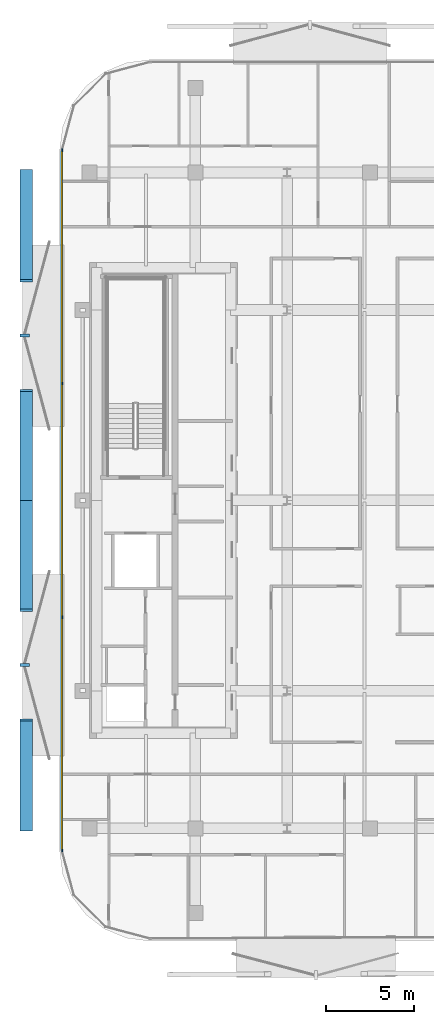
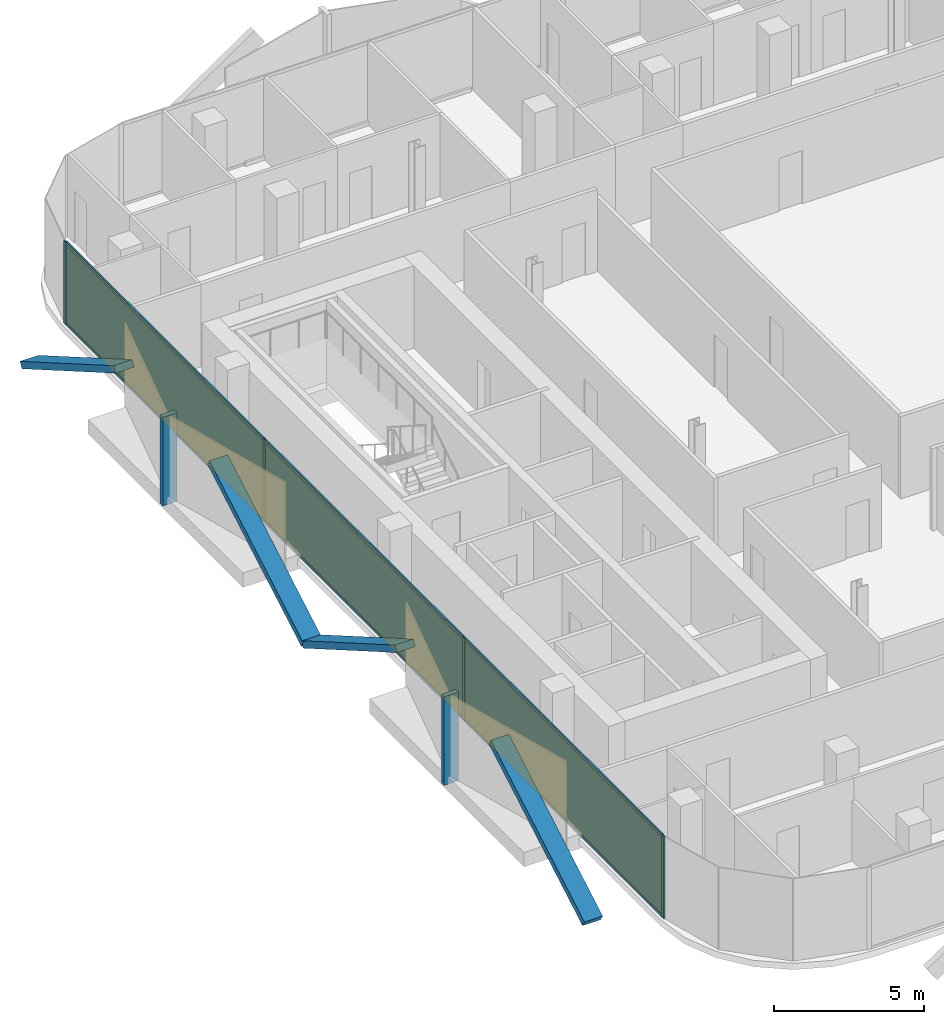
# One storey, part 9 of 14: 16 members, 3 plates, 1 curtain wall.
"""IFC4 building model written with IfcOpenShell, lengths in metres."""

from ifc_helpers import new_model, si_unit, direction, frame, frame_2d, origin, origin_2d, place, context, subcontext, project, spatial, rectangle, extrude, material, layer, layer_set, material_profile, profile_set, type_object, element, aggregate, save


model = new_model("IFC4")

# Units and contexts
model_context = context("Model", 3, precision=1e-05, world=origin(), true_north=direction((0.0, 1.0)))
body_context = subcontext(model_context, "Body", "Model", "MODEL_VIEW")
ifc_project = project(units=[si_unit("LENGTHUNIT", "METRE"), si_unit("AREAUNIT", "SQUARE_METRE"), si_unit("VOLUMEUNIT", "CUBIC_METRE"), si_unit("PLANEANGLEUNIT", "RADIAN"), si_unit("MASSUNIT", "GRAM", prefix="KILO")], contexts=[model_context])

# Member
ifc_material_1 = material(Name="Anodised Bronze Aluminium 6063-T6", Category="aluminium")
ifc_material_profile_1 = material_profile(ifc_material_1, rectangle(XDim=0.260009765625, YDim=0.699951171875, at=origin_2d()))
ifc_profile_set_1 = profile_set([ifc_material_profile_1], Name="Anodised Bronze Aluminium 6063-T6")
member_type_1 = type_object("IfcMemberType", Name="Bronze Diamond Solar-Screen Lattice Rib BDL-700", PredefinedType="MULLION", material=ifc_profile_set_1)
site_placement = place(None, origin())
building_placement = place(site_placement, origin())
storey_placement = place(building_placement, frame((0.0, 0.0, 233.199951171875)))
member_1_placement = place(storey_placement, frame((-24.0, -18.69091796875, -0.1298828125), z_axis=(0.0, 0.865863440235, 0.500280424227), x_axis=(0.0, -0.500280424227, 0.865863440235)))
member_1 = element("IfcMember", 1, at=member_1_placement, type_object=member_type_1, Name="L54 Bronze Diamond Solar Screen Lattice Rib 363A", PredefinedType="MULLION", context=body_context, shape_type="SweptSolid", body=[
    extrude(rectangle(XDim=0.260009765625, YDim=0.699951171875, at=origin_2d()), origin(), (0.0, 0.0, 1.0), 7.195556640625),
])

member_2_placement = place(storey_placement, frame((-24.0, 0.0, -0.1298828125), z_axis=(0.0, -0.865854948139, 0.500295121686), x_axis=(0.0, 0.500295121686, 0.865854948139)))
member_2 = element("IfcMember", 2, at=member_2_placement, type_object=member_type_1, Name="L54 Bronze Diamond Solar Screen Lattice Rib 363B", PredefinedType="MULLION", context=body_context, shape_type="SweptSolid", body=[
    extrude(rectangle(XDim=0.260009765625, YDim=0.699951171875, at=origin_2d()), origin(), (0.0, 0.0, 1.0), 7.195556640625),
])

member_3_placement = place(storey_placement, frame((-24.0, 0.0, -0.1298828125), z_axis=(0.0, 0.865854948139, 0.500295121686), x_axis=(0.0, -0.500295121686, 0.865854948139)))
member_3 = element("IfcMember", 3, at=member_3_placement, type_object=member_type_1, Name="L54 Bronze Diamond Solar Screen Lattice Rib 364A", PredefinedType="MULLION", context=body_context, shape_type="SweptSolid", body=[
    extrude(rectangle(XDim=0.260009765625, YDim=0.699951171875, at=origin_2d()), origin(), (0.0, 0.0, 1.0), 7.195556640625),
])

member_4_placement = place(storey_placement, frame((-24.0, 18.69091796875, -0.1298828125), z_axis=(0.0, -0.865863440235, 0.500280424227), x_axis=(0.0, 0.500280424227, 0.865863440235)))
member_4 = element("IfcMember", 4, at=member_4_placement, type_object=member_type_1, Name="L54 Bronze Diamond Solar Screen Lattice Rib 364B", PredefinedType="MULLION", context=body_context, shape_type="SweptSolid", body=[
    extrude(rectangle(XDim=0.260009765625, YDim=0.699951171875, at=origin_2d()), origin(), (0.0, 0.0, 1.0), 7.195556640625),
])

ifc_material_2 = material(Name="Anodised Bronze Aluminium 6063-T6", Category="aluminium")
ifc_material_profile_2 = material_profile(ifc_material_2, rectangle(XDim=0.179931640625, YDim=0.5400390625, at=origin_2d()))
ifc_profile_set_2 = profile_set([ifc_material_profile_2], Name="Anodised Bronze Aluminium 6063-T6")
member_type_2 = type_object("IfcMemberType", Name="Bronze Solar-Screen Vertical Fold Fin BSF-540", PredefinedType="MULLION", material=ifc_profile_set_2)
member_5_placement = place(storey_placement, frame((-24.080078125, -9.345458984375, -0.1298828125), z_axis=(0.0, 0.0, 1.0), x_axis=(0.0, 1.0, 0.0)))
member_5 = element("IfcMember", 5, at=member_5_placement, type_object=member_type_2, Name="L54 Bronze Solar Screen Vertical Fin 363", PredefinedType="MULLION", context=body_context, shape_type="SweptSolid", body=[
    extrude(rectangle(XDim=0.179931640625, YDim=0.5400390625, at=origin_2d()), origin(), (0.0, 0.0, 1.0), 3.599853515625),
])

member_6_placement = place(storey_placement, frame((-24.080078125, 9.345458984375, -0.1298828125), z_axis=(0.0, 0.0, 1.0), x_axis=(0.0, 1.0, 0.0)))
member_6 = element("IfcMember", 6, at=member_6_placement, type_object=member_type_2, Name="L54 Bronze Solar Screen Vertical Fin 364", PredefinedType="MULLION", context=body_context, shape_type="SweptSolid", body=[
    extrude(rectangle(XDim=0.179931640625, YDim=0.5400390625, at=origin_2d()), origin(), (0.0, 0.0, 1.0), 3.599853515625),
])

ifc_material_3 = material(Name="Anodised Bronze Aluminium 6063-T6", Category="aluminium")
ifc_material_profile_3 = material_profile(ifc_material_3, rectangle(XDim=0.06005859375, YDim=0.159912109375, at=origin_2d()))
ifc_profile_set_3 = profile_set([ifc_material_profile_3], Name="Anodised Bronze Aluminium 6063-T6")
member_type_3 = type_object("IfcMemberType", Name="CW-Z4 Mullion 60x160", PredefinedType="MULLION", material=ifc_profile_set_3)
member_7_placement = place(storey_placement, frame((-21.9599609375, -19.86083984375, 0.0), z_axis=(0.0, 0.0, 1.0), x_axis=(-1.0, 0.0, 0.0)))
member_7 = element("IfcMember", 7, at=member_7_placement, type_object=member_type_3, Name="CW-Z4 mullion 1", PredefinedType="MULLION", context=body_context, shape_type="SweptSolid", body=[
    extrude(rectangle(XDim=0.06005859375, YDim=0.159912109375, at=origin_2d()), origin(), (0.0, 0.0, 1.0), 3.340087890625),
])

member_8_placement = place(storey_placement, frame((-21.9599609375, -6.63037109375, 0.0), z_axis=(0.0, 0.0, 1.0), x_axis=(-1.0, 0.0, 0.0)))
member_8 = element("IfcMember", 8, at=member_8_placement, type_object=member_type_3, Name="CW-Z4 mullion 2", PredefinedType="MULLION", context=body_context, shape_type="SweptSolid", body=[
    extrude(rectangle(XDim=0.06005859375, YDim=0.159912109375, at=origin_2d()), origin(), (0.0, 0.0, 1.0), 3.340087890625),
])

member_9_placement = place(storey_placement, frame((-21.9599609375, 6.63037109375, 0.0), z_axis=(0.0, 0.0, 1.0), x_axis=(-1.0, 0.0, 0.0)))
member_9 = element("IfcMember", 9, at=member_9_placement, type_object=member_type_3, Name="CW-Z4 mullion 3", PredefinedType="MULLION", context=body_context, shape_type="SweptSolid", body=[
    extrude(rectangle(XDim=0.06005859375, YDim=0.159912109375, at=origin_2d()), origin(), (0.0, 0.0, 1.0), 3.340087890625),
])

member_10_placement = place(storey_placement, frame((-21.9599609375, 19.86083984375, 0.0), z_axis=(0.0, 0.0, 1.0), x_axis=(-1.0, 0.0, 0.0)))
member_10 = element("IfcMember", 10, at=member_10_placement, type_object=member_type_3, Name="CW-Z4 mullion 4", PredefinedType="MULLION", context=body_context, shape_type="SweptSolid", body=[
    extrude(rectangle(XDim=0.06005859375, YDim=0.159912109375, at=origin_2d()), origin(), (0.0, 0.0, 1.0), 3.340087890625),
])

ifc_material_4 = material(Name="Anodised Bronze Aluminium 6063-T6", Category="aluminium")
ifc_material_profile_4 = material_profile(ifc_material_4, rectangle(XDim=0.06005859375, YDim=0.125, at=origin_2d()))
ifc_profile_set_4 = profile_set([ifc_material_profile_4], Name="Anodised Bronze Aluminium 6063-T6")
member_type_4 = type_object("IfcMemberType", Name="CW-Z4 Transom 60x125", PredefinedType="USERDEFINED", material=ifc_profile_set_4)
member_11_placement = place(storey_placement, frame((-21.9599609375, -19.830810546875, 0.030029296875), z_axis=(0.0, 1.0, 0.0), x_axis=(-1.0, 0.0, 0.0)))
member_11 = element("IfcMember", 11, at=member_11_placement, type_object=member_type_4, Name="CW-Z4 transom 1.1", ObjectType="TRANSOM", PredefinedType="USERDEFINED", context=body_context, shape_type="SweptSolid", body=[
    extrude(rectangle(XDim=0.06005859375, YDim=0.125, at=origin_2d()), origin(), (0.0, 0.0, 1.0), 13.170654296875),
])

member_12_placement = place(storey_placement, frame((-21.9599609375, -19.830810546875, 3.31005859375), z_axis=(0.0, 1.0, 0.0), x_axis=(-1.0, 0.0, 0.0)))
member_12 = element("IfcMember", 12, at=member_12_placement, type_object=member_type_4, Name="CW-Z4 transom 1.2", ObjectType="TRANSOM", PredefinedType="USERDEFINED", context=body_context, shape_type="SweptSolid", body=[
    extrude(rectangle(XDim=0.06005859375, YDim=0.125, at=origin_2d()), origin(), (0.0, 0.0, 1.0), 13.170654296875),
])

member_13_placement = place(storey_placement, frame((-21.9599609375, -6.600341796875, 0.030029296875), z_axis=(0.0, 1.0, 0.0), x_axis=(-1.0, 0.0, 0.0)))
member_13 = element("IfcMember", 13, at=member_13_placement, type_object=member_type_4, Name="CW-Z4 transom 2.1", ObjectType="TRANSOM", PredefinedType="USERDEFINED", context=body_context, shape_type="SweptSolid", body=[
    extrude(rectangle(XDim=0.06005859375, YDim=0.125, at=origin_2d()), origin(), (0.0, 0.0, 1.0), 13.20068359375),
])

member_14_placement = place(storey_placement, frame((-21.9599609375, -6.600341796875, 3.31005859375), z_axis=(0.0, 1.0, 0.0), x_axis=(-1.0, 0.0, 0.0)))
member_14 = element("IfcMember", 14, at=member_14_placement, type_object=member_type_4, Name="CW-Z4 transom 2.2", ObjectType="TRANSOM", PredefinedType="USERDEFINED", context=body_context, shape_type="SweptSolid", body=[
    extrude(rectangle(XDim=0.06005859375, YDim=0.125, at=origin_2d()), origin(), (0.0, 0.0, 1.0), 13.20068359375),
])

member_15_placement = place(storey_placement, frame((-21.9599609375, 6.66015625, 0.030029296875), z_axis=(0.0, 1.0, 0.0), x_axis=(-1.0, 0.0, 0.0)))
member_15 = element("IfcMember", 15, at=member_15_placement, type_object=member_type_4, Name="CW-Z4 transom 3.1", ObjectType="TRANSOM", PredefinedType="USERDEFINED", context=body_context, shape_type="SweptSolid", body=[
    extrude(rectangle(XDim=0.06005859375, YDim=0.125, at=origin_2d()), origin(), (0.0, 0.0, 1.0), 13.170654296875),
])

member_16_placement = place(storey_placement, frame((-21.9599609375, 6.66015625, 3.31005859375), z_axis=(0.0, 1.0, 0.0), x_axis=(-1.0, 0.0, 0.0)))
member_16 = element("IfcMember", 16, at=member_16_placement, type_object=member_type_4, Name="CW-Z4 transom 3.2", ObjectType="TRANSOM", PredefinedType="USERDEFINED", context=body_context, shape_type="SweptSolid", body=[
    extrude(rectangle(XDim=0.06005859375, YDim=0.125, at=origin_2d()), origin(), (0.0, 0.0, 1.0), 13.170654296875),
])

# Plate
ifc_material_5 = material(Name="Low-E Solar Control Laminated Glass", Category="glass")
ifc_layer_1 = layer(ifc_material_5, 0.030029296875, Name="Low-E Solar Control Laminated Glass")
ifc_layer_set_1 = layer_set([ifc_layer_1], Name="Low-E Solar Control Laminated Glass")
plate_type = type_object("IfcPlateType", Name="CW-Z4 Low-E Double Glazed Panel 30mm", PredefinedType="CURTAIN_PANEL", material=ifc_layer_set_1)
plate_1_placement = place(storey_placement, frame((-21.9599609375, -13.24560546875, 0.06005859375), z_axis=(0.0, 0.0, 1.0), x_axis=(0.0, 1.0, 0.0)))
plate_1 = element("IfcPlate", 17, at=plate_1_placement, type_object=plate_type, Name="CW-Z4 panel 1.1", PredefinedType="CURTAIN_PANEL", context=body_context, shape_type="SweptSolid", body=[
    extrude(rectangle(XDim=13.170654296875, YDim=0.030029296875, at=origin_2d()), origin(), (0.0, 0.0, 1.0), 3.219970703125),
])

plate_2_placement = place(storey_placement, frame((-21.9599609375, 0.0, 0.06005859375), z_axis=(0.0, 0.0, 1.0), x_axis=(0.0, 1.0, 0.0)))
plate_2 = element("IfcPlate", 18, at=plate_2_placement, type_object=plate_type, Name="CW-Z4 panel 2.1", PredefinedType="CURTAIN_PANEL", context=body_context, shape_type="SweptSolid", body=[
    extrude(rectangle(XDim=13.200439453125, YDim=0.030029296875, at=origin_2d()), origin(), (0.0, 0.0, 1.0), 3.219970703125),
])

plate_3_placement = place(storey_placement, frame((-21.9599609375, 13.24560546875, 0.06005859375), z_axis=(0.0, 0.0, 1.0), x_axis=(0.0, 1.0, 0.0)))
plate_3 = element("IfcPlate", 19, at=plate_3_placement, type_object=plate_type, Name="CW-Z4 panel 3.1", PredefinedType="CURTAIN_PANEL", context=body_context, shape_type="SweptSolid", body=[
    extrude(rectangle(XDim=13.170654296875, YDim=0.030029296875, at=origin_2d()), origin(), (0.0, 0.0, 1.0), 3.219970703125),
])

# Site, building, storey
site = spatial("IfcSite", under=ifc_project, at=site_placement, CompositionType="ELEMENT")
building = spatial("IfcBuilding", under=site, at=building_placement, Name="Khairoan Windgate Tower", CompositionType="ELEMENT")
storey = spatial("IfcBuildingStorey", under=building, at=storey_placement, Name="L54", CompositionType="ELEMENT", Elevation=233.199951171875)

# Curtain wall
ifc_material_6 = material(Name="Anodised Bronze Aluminium 6063-T6", Category="aluminium")
ifc_layer_2 = layer(ifc_material_6, 0.159912109375, Name="Anodised Bronze Aluminium 6063-T6")
ifc_layer_set_2 = layer_set([ifc_layer_2], Name="Anodised Bronze Aluminium 6063-T6")
curtain_wall_type = type_object("IfcCurtainWallType", Name="Sky Residence Unitised Curtain Wall CW-Z4", PredefinedType="NOTDEFINED", material=ifc_layer_set_2)
curtain_wall_placement = place(storey_placement, frame((-21.9599609375, -19.890869140625, 0.0), z_axis=(0.0, 0.0, 1.0), x_axis=(0.0, 1.0, 0.0)))
curtain_wall = element("IfcCurtainWall", 20, at=curtain_wall_placement, inside=storey, type_object=curtain_wall_type, Name="L54 Unitised Curtain Wall 5", PredefinedType="NOTDEFINED", context=body_context, shape_type="SweptSolid", body=[
    extrude(rectangle(XDim=39.78173828125, YDim=0.010009765625, at=frame_2d((19.890869140625, 0.0))), origin(), (0.0, 0.0, 1.0), 3.340087890625),
])

aggregate(curtain_wall, [member_7, member_8, member_9, member_10, member_11, member_12, plate_1, member_13, member_14, plate_2, member_15, member_16, plate_3, member_1, member_2, member_5, member_3, member_4, member_6])

save(model, "model.ifc")
